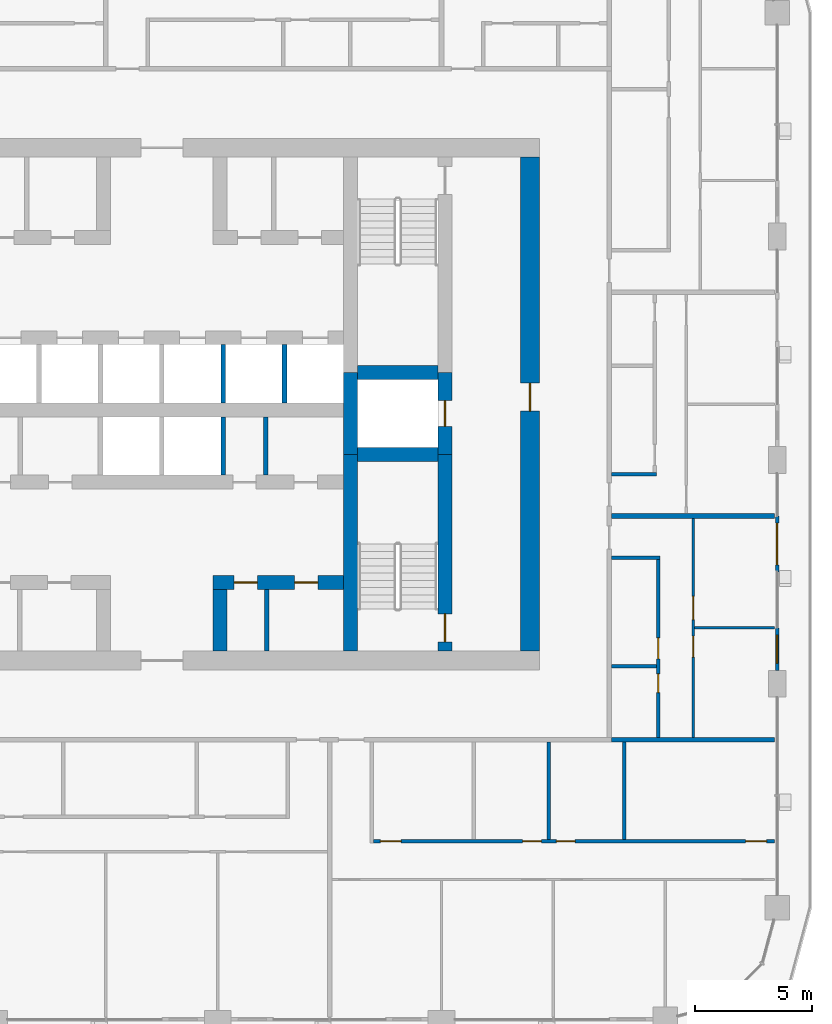
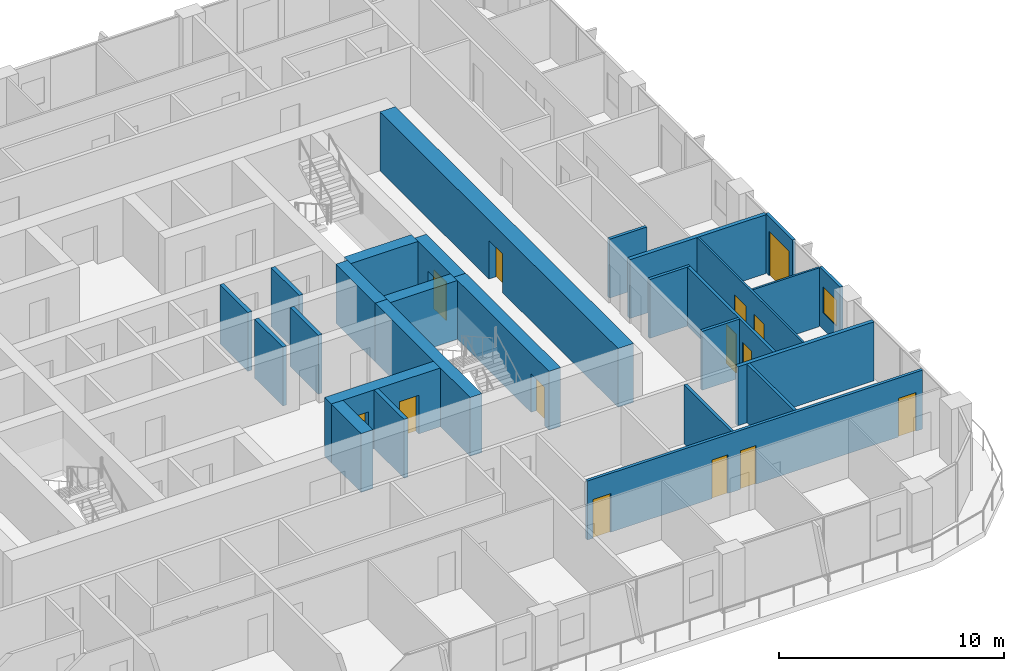
# One storey, part 12 of 22: 27 walls, 14 doors, 1 window, 15 openings.
"""IFC4 building model written with IfcOpenShell, lengths in metres."""

import ifcopenshell
import ifcopenshell.guid

model = None  # the IFC model being written
_history = None  # IfcOwnerHistory: only IFC2X3 demands one
_inside = {}  # id of a spatial element -> (the spatial element, [elements in it])
_under = {}  # id of a project, library or spatial element -> (it, [spatial elements below it])
_declared = {}  # id of a project -> (the project, [libraries it declares])
_typed = {}  # id of a type object -> (the type object, [elements of that type])
_made_of = {}  # id of a material, layer set ... -> (it, [elements and type objects made of it])


def new_model(schema):
    """Start an empty IFC model of exactly this schema.

    Asked for "IFC4X3", IfcOpenShell would pick the latest addendum, in which some entities
    have other attributes; the version numbers below select the first issue.
    IFC2X3 requires an IfcOwnerHistory on every rooted entity: one is made here for all.
    """
    global model, _history
    if schema == "IFC4X3":
        model = ifcopenshell.file(schema_version=(4, 3, 0, 0))
    else:
        model = ifcopenshell.file(schema=schema)
    _inside.clear()
    _under.clear()
    _declared.clear()
    _typed.clear()
    _made_of.clear()
    _history = None
    if model.schema == "IFC2X3":
        org = make("IfcOrganization", Name="unknown")
        user = make(
            "IfcPersonAndOrganization",
            ThePerson=make("IfcPerson", FamilyName="unknown"),
            TheOrganization=org,
        )
        app = make(
            "IfcApplication",
            ApplicationDeveloper=org,
            Version="unknown",
            ApplicationFullName="unknown",
            ApplicationIdentifier="unknown",
        )
        _history = make(
            "IfcOwnerHistory",
            OwningUser=user,
            OwningApplication=app,
            ChangeAction="ADDED",
            CreationDate=0,
        )
    return model


def make(cls, **values):
    """One entity of the class cls with the attributes given. An attribute that is None is left unset."""
    return model.create_entity(
        cls, **{name: value for name, value in values.items() if value is not None}
    )


def rooted(cls, **values):
    """An entity with a GlobalId (a new one), such as an element, a storey or a relation."""
    return make(cls, GlobalId=ifcopenshell.guid.new(), OwnerHistory=_history, **values)


def si_unit(unit_type, name, prefix=None):
    """IfcSIUnit, for example si_unit("LENGTHUNIT", "METRE", prefix="MILLI")."""
    return make("IfcSIUnit", UnitType=unit_type, Prefix=prefix, Name=name)


def assignment(units):
    """IfcUnitAssignment: the units of a project."""
    return None if units is None else make("IfcUnitAssignment", Units=units)


def point(xyz):
    """IfcCartesianPoint."""
    return None if xyz is None else make("IfcCartesianPoint", Coordinates=xyz)


def direction(xyz):
    """IfcDirection."""
    return None if xyz is None else make("IfcDirection", DirectionRatios=xyz)


def frame(location, z_axis=None, x_axis=None):
    """IfcAxis2Placement3D, a coordinate frame: its origin and axes. An axis left out is left unset."""
    return make(
        "IfcAxis2Placement3D",
        Location=point(location),
        Axis=direction(z_axis),
        RefDirection=direction(x_axis),
    )


def frame_2d(location, x_axis=None):
    """IfcAxis2Placement2D, a coordinate frame in the plane: its origin and x axis."""
    return make(
        "IfcAxis2Placement2D", Location=point(location), RefDirection=direction(x_axis)
    )


def origin():
    """The frame at (0, 0, 0) with its axes left unset."""
    return frame((0.0, 0.0, 0.0))


def place(relative_to, where):
    """IfcLocalPlacement: puts the frame where relative to a parent placement (None: the world)."""
    return make(
        "IfcLocalPlacement", PlacementRelTo=relative_to, RelativePlacement=where
    )


def context(
    kind, dimensions, precision=None, world=None, true_north=None, identifier=None
):
    """IfcGeometricRepresentationContext, for example the 3D "Model" context."""
    return make(
        "IfcGeometricRepresentationContext",
        ContextIdentifier=identifier,
        ContextType=kind,
        CoordinateSpaceDimension=dimensions,
        Precision=precision,
        WorldCoordinateSystem=world,
        TrueNorth=true_north,
    )


def subcontext(parent, identifier, kind, view, scale=None):
    """IfcGeometricRepresentationSubContext, for example "Body" below "Model"."""
    return make(
        "IfcGeometricRepresentationSubContext",
        ContextIdentifier=identifier,
        ContextType=kind,
        ParentContext=parent,
        TargetScale=scale,
        TargetView=view,
    )


def project(units=None, contexts=None):
    """IfcProject with its units and contexts."""
    return rooted(
        "IfcProject",
        Name="project",
        RepresentationContexts=contexts,
        UnitsInContext=assignment(units),
    )


def spatial(cls, under=None, at=None, **own):
    """A site, building, storey or space (cls), placed at a placement, below another one or the project."""
    s = rooted(cls, ObjectPlacement=at, **own)
    if under is not None:
        _under.setdefault(under.id(), (under, []))[1].append(s)
    return s


def profile(cls, at=None, kind="AREA", **sizes):
    """A parametric profile (cls). Its sizes go by their IFC names, for example OverallWidth=200.0."""
    return make(cls, ProfileType=kind, Position=at, **sizes)


def rectangle(**sizes):
    """IfcRectangleProfileDef."""
    return profile("IfcRectangleProfileDef", **sizes)


def extrude(swept, where, along, depth):
    """IfcExtrudedAreaSolid: the profile swept, set in the frame where, extruded along a direction by depth."""
    return make(
        "IfcExtrudedAreaSolid",
        SweptArea=swept,
        Position=where,
        ExtrudedDirection=direction(along),
        Depth=depth,
    )


def shape(context_of_items, identifier, shape_type, items):
    """IfcShapeRepresentation: the items that make up one representation, for example the "Body"."""
    return make(
        "IfcShapeRepresentation",
        ContextOfItems=context_of_items,
        RepresentationIdentifier=identifier,
        RepresentationType=shape_type,
        Items=items,
    )


def material(Name=None, Category=None):
    """IfcMaterial."""
    return make("IfcMaterial", Name=Name, Category=Category)


def layer(
    of_material, thickness, ventilated=None, Name=None, Category=None, Priority=None
):
    """IfcMaterialLayer: one layer of a wall or slab, of a material (None: an air gap)."""
    return make(
        "IfcMaterialLayer",
        Material=of_material,
        LayerThickness=thickness,
        IsVentilated=ventilated,
        Name=Name,
        Category=Category,
        Priority=Priority,
    )


def layer_set(layers, Name=None):
    """IfcMaterialLayerSet."""
    return make("IfcMaterialLayerSet", MaterialLayers=layers, LayerSetName=Name)


def made_of(thing, what):
    """Note that an element or type object is made of a material, layer set ...; save() writes the relation."""
    if what is not None:
        _made_of.setdefault(what.id(), (what, []))[1].append(thing)
    return thing


def type_object(cls, material=None, **own):
    """A type object (cls), such as IfcWallType, which elements share."""
    return made_of(rooted(cls, **own), material)


def element(
    cls,
    number,
    at=None,
    inside=None,
    cuts=None,
    type_object=None,
    material=None,
    context=None,
    identifier="Body",
    shape_type=None,
    held_by="IfcProductDefinitionShape",
    body=None,
    shapes=None,
    **own,
):
    """One element of the class cls, such as IfcWall. Its Tag is "e" and its number.

    at: its placement. inside: the storey or other place that contains it. cuts: it is an
    opening in that element (IfcRelVoidsElement). A single representation is given by context,
    identifier, shape_type and body (its items); several are given by shapes. held_by: the class
    of the entity that holds the representations. save() writes the other relations.
    """
    e = rooted(cls, Tag="e%d" % number, ObjectPlacement=at, **own)
    if body is not None:
        shapes = [shape(context, identifier, shape_type, body)]
    if shapes is not None:
        e.Representation = make(held_by, Representations=shapes)
    if inside is not None:
        _inside.setdefault(inside.id(), (inside, []))[1].append(e)
    if cuts is not None:
        rooted(
            "IfcRelVoidsElement", RelatingBuildingElement=cuts, RelatedOpeningElement=e
        )
    if type_object is not None:
        _typed.setdefault(type_object.id(), (type_object, []))[1].append(e)
    return made_of(e, material)


def fill(opening, filler):
    """IfcRelFillsElement: the door or window that sits in an opening."""
    return rooted(
        "IfcRelFillsElement",
        RelatingOpeningElement=opening,
        RelatedBuildingElement=filler,
    )


def aggregate(whole, parts):
    """IfcRelAggregates: a whole, such as a stair, and the parts it consists of."""
    return rooted("IfcRelAggregates", RelatingObject=whole, RelatedObjects=parts)


def save(model, path):
    """Write the relations noted so far, then the file.

    IfcRelAggregates (storeys below a building ...), IfcRelContainedInSpatialStructure (elements
    in a storey), IfcRelDefinesByType, IfcRelAssociatesMaterial and IfcRelDeclares: one each for
    every whole, place, type object, material and project.
    """
    for whole, parts in _under.values():
        aggregate(whole, parts)
    for where, things in _inside.values():
        rooted(
            "IfcRelContainedInSpatialStructure",
            RelatedElements=things,
            RelatingStructure=where,
        )
    for kind, things in _typed.values():
        rooted("IfcRelDefinesByType", RelatedObjects=things, RelatingType=kind)
    for what, things in _made_of.values():
        rooted("IfcRelAssociatesMaterial", RelatedObjects=things, RelatingMaterial=what)
    for by, libraries in _declared.values():
        rooted("IfcRelDeclares", RelatingContext=by, RelatedDefinitions=libraries)
    model.write(path)


model = new_model("IFC4")

# Units and contexts
model_context = context("Model", 3, precision=1e-05, world=origin(), true_north=direction((0.0, 1.0)))
body_context = subcontext(model_context, "Body", "Model", "MODEL_VIEW")
ifc_project = project(units=[si_unit("LENGTHUNIT", "METRE"), si_unit("AREAUNIT", "SQUARE_METRE"), si_unit("VOLUMEUNIT", "CUBIC_METRE"), si_unit("PLANEANGLEUNIT", "RADIAN"), si_unit("MASSUNIT", "GRAM", prefix="KILO")], contexts=[model_context])

# Site, building, storey
site_placement = place(None, origin())
site = spatial("IfcSite", under=ifc_project, at=site_placement, CompositionType="ELEMENT")
building_placement = place(site_placement, origin())
building = spatial("IfcBuilding", under=site, at=building_placement, Name="Madar Terraces", CompositionType="ELEMENT")
storey_placement = place(building_placement, frame((0.0, 0.0, 166.5)))
storey = spatial("IfcBuildingStorey", under=building, at=storey_placement, Name="L43", CompositionType="ELEMENT", Elevation=166.5)

# Walls
ifc_material_1 = material(Name="Concrete C70/85", Category="concrete")
ifc_layer_1 = layer(ifc_material_1, 0.60009765625)
ifc_layer_set_1 = layer_set([ifc_layer_1], Name="Concrete C70/85 (CIW3 RC wall 600)")
wall_type_1 = type_object("IfcWallType", Name="CIW3 RC wall 600", PredefinedType="SHEAR", material=ifc_layer_set_1)
wall_1_placement = place(storey_placement, frame((39.300048828125, 15.800048828125, 0.0), z_axis=(0.0, 0.0, 1.0), x_axis=(0.0, 1.0, 0.0)))
element("IfcWall", 1, at=wall_1_placement, inside=storey, type_object=wall_type_1, Name="CORE SHAFT WALL", PredefinedType="SHEAR", context=body_context, shape_type="SweptSolid", body=[
    extrude(rectangle(XDim=8.449951171875, YDim=0.60009765625, at=frame_2d((4.22509765625, 0.0))), origin(), (0.0, 0.0, 1.0), 3.199951171875),
])
wall_2_placement = place(storey_placement, frame((39.300048828125, 24.25, 0.0), z_axis=(0.0, 0.0, 1.0), x_axis=(0.0, 1.0, 0.0)))
element("IfcWall", 2, at=wall_2_placement, inside=storey, type_object=wall_type_1, Name="CORE SHAFT WALL", PredefinedType="SHEAR", context=body_context, shape_type="SweptSolid", body=[
    extrude(rectangle(XDim=3.5, YDim=0.60009765625, at=frame_2d((1.75, 0.0))), origin(), (0.0, 0.0, 1.0), 3.199951171875),
])

# Wall, opening, door
wall_3_placement = place(storey_placement, frame((43.35009765625, 15.800048828125, 0.0), z_axis=(0.0, 0.0, 1.0), x_axis=(0.0, 1.0, 0.0)))
wall_3 = element("IfcWall", 3, at=wall_3_placement, inside=storey, type_object=wall_type_1, Name="CORE SHAFT WALL", PredefinedType="SHEAR", context=body_context, shape_type="SweptSolid", body=[
    extrude(rectangle(XDim=8.449951171875, YDim=0.60009765625, at=frame_2d((4.22509765625, 0.0))), origin(), (0.0, 0.0, 1.0), 3.199951171875),
])
opening_1_placement = place(wall_3_placement, frame((0.39990234375, 0.0, 0.0)))
opening_1 = element("IfcOpeningElement", 4, at=opening_1_placement, cuts=wall_3, Name="Opening SD1", PredefinedType="OPENING", context=body_context, shape_type="SweptSolid", body=[
    extrude(rectangle(XDim=1.199951171875, YDim=2.10009765625, at=frame_2d((0.60009765625, 1.050048828125))), frame((0.0, 0.31005859375, 0.0), z_axis=(0.0, -1.0, 0.0), x_axis=(1.0, 0.0, 0.0)), (0.0, 0.0, 1.0), 0.6201171875),
])
ifc_material_2 = material(Name="Steel door leaf", Category="steel")
door_type_1 = type_object("IfcDoorType", Name="Stair door 1200 x 2100", OperationType="NOTDEFINED", PredefinedType="DOOR", material=ifc_material_2)
door_1_placement = place(opening_1_placement, origin())
door_1 = element("IfcDoor", 5, at=door_1_placement, inside=storey, type_object=door_type_1, Name="STAIR DOOR", OperationType="SINGLE_SWING_RIGHT", OverallHeight=2.10009765625, OverallWidth=1.199951171875, PredefinedType="DOOR", context=body_context, shape_type="SweptSolid", body=[
    extrude(rectangle(XDim=1.199951171875, YDim=2.10009765625, at=frame_2d((0.60009765625, 1.050048828125))), frame((0.0, 0.02490234375, 0.0), z_axis=(0.0, -1.0, 0.0), x_axis=(1.0, 0.0, 0.0)), (0.0, 0.0, 1.0), 0.050048828125),
])
fill(opening_1, door_1)

wall_4_placement = place(storey_placement, frame((43.35009765625, 24.25, 0.0), z_axis=(0.0, 0.0, 1.0), x_axis=(0.0, 1.0, 0.0)))
wall_4 = element("IfcWall", 6, at=wall_4_placement, inside=storey, type_object=wall_type_1, Name="CORE SHAFT WALL", PredefinedType="SHEAR", context=body_context, shape_type="SweptSolid", body=[
    extrude(rectangle(XDim=3.5, YDim=0.60009765625, at=frame_2d((1.75, 0.0))), origin(), (0.0, 0.0, 1.0), 3.199951171875),
])
opening_2_placement = place(wall_4_placement, frame((1.199951171875, 0.0, 0.0)))
opening_2 = element("IfcOpeningElement", 7, at=opening_2_placement, cuts=wall_4, Name="Opening LD", PredefinedType="OPENING", context=body_context, shape_type="SweptSolid", body=[
    extrude(rectangle(XDim=1.10009765625, YDim=2.10009765625, at=frame_2d((0.550048828125, 1.050048828125))), frame((0.0, 0.31005859375, 0.0), z_axis=(0.0, -1.0, 0.0), x_axis=(1.0, 0.0, 0.0)), (0.0, 0.0, 1.0), 0.6201171875),
])
ifc_material_3 = material(Name="Stainless steel panel", Category="steel")
door_type_2 = type_object("IfcDoorType", Name="Lift landing door 1100 x 2100", OperationType="DOUBLE_DOOR_SLIDING", PredefinedType="DOOR", material=ifc_material_3)
door_2_placement = place(opening_2_placement, origin())
door_2 = element("IfcDoor", 8, at=door_2_placement, inside=storey, type_object=door_type_2, Name="LIFT LANDING DOOR", OperationType="DOUBLE_DOOR_SLIDING", OverallHeight=2.10009765625, OverallWidth=1.10009765625, PredefinedType="DOOR", context=body_context, shape_type="SweptSolid", body=[
    extrude(rectangle(XDim=1.10009765625, YDim=2.10009765625, at=frame_2d((0.550048828125, 1.050048828125))), frame((0.0, 0.02490234375, 0.0), z_axis=(0.0, -1.0, 0.0), x_axis=(1.0, 0.0, 0.0)), (0.0, 0.0, 1.0), 0.050048828125),
])
fill(opening_2, door_2)

# Walls
for number, where, z_axis, x_axis, name in (
    (9, (39.60009765625, 24.25, 0.0), (0.0, 0.0, 1.0), (1.0, 0.0, 0.0), "CORE SHAFT WALL"),
    (10, (39.60009765625, 27.75, 0.0), (0.0, 0.0, 1.0), (1.0, 0.0, 0.0), "CORE SHAFT WALL"),
):
    element("IfcWall", number, at=place(storey_placement, frame(where, z_axis=z_axis, x_axis=x_axis)), inside=storey, type_object=wall_type_1, Name=name, PredefinedType="SHEAR", context=body_context, shape_type="SweptSolid", body=[
        extrude(rectangle(XDim=3.449951171875, YDim=0.60009765625, at=frame_2d((1.72509765625, 0.0))), origin(), (0.0, 0.0, 1.0), 3.199951171875),
    ])

# Wall, openings, doors
wall_5_placement = place(storey_placement, frame((33.39990234375, 18.75, 0.0), z_axis=(0.0, 0.0, 1.0), x_axis=(1.0, 0.0, 0.0)))
wall_5 = element("IfcWall", 11, at=wall_5_placement, inside=storey, type_object=wall_type_1, Name="CORE SHAFT WALL", PredefinedType="SHEAR", context=body_context, shape_type="SweptSolid", body=[
    extrude(rectangle(XDim=5.60009765625, YDim=0.60009765625, at=frame_2d((2.800048828125, 0.0))), origin(), (0.0, 0.0, 1.0), 3.199951171875),
])
opening_3_placement = place(wall_5_placement, frame((0.89990234375, 0.0, 0.0)))
opening_3 = element("IfcOpeningElement", 12, at=opening_3_placement, cuts=wall_5, Name="Opening KD2", PredefinedType="OPENING", context=body_context, shape_type="SweptSolid", body=[
    extrude(rectangle(XDim=1.0, YDim=2.10009765625, at=frame_2d((0.5, 1.050048828125))), frame((0.0, 0.31005859375, 0.0), z_axis=(0.0, -1.0, 0.0), x_axis=(1.0, 0.0, 0.0)), (0.0, 0.0, 1.0), 0.6201171875),
])
opening_4_placement = place(wall_5_placement, frame((3.5, 0.0, 0.0)))
opening_4 = element("IfcOpeningElement", 13, at=opening_4_placement, cuts=wall_5, Name="Opening KD2", PredefinedType="OPENING", context=body_context, shape_type="SweptSolid", body=[
    extrude(rectangle(XDim=1.0, YDim=2.10009765625, at=frame_2d((0.5, 1.050048828125))), frame((0.0, 0.31005859375, 0.0), z_axis=(0.0, -1.0, 0.0), x_axis=(1.0, 0.0, 0.0)), (0.0, 0.0, 1.0), 0.6201171875),
])
ifc_material_4 = material(Name="Steel door leaf", Category="steel")
door_type_3 = type_object("IfcDoorType", Name="Service room door 1000 x 2100", OperationType="NOTDEFINED", PredefinedType="DOOR", material=ifc_material_4)
door_3_placement = place(opening_3_placement, origin())
door_3 = element("IfcDoor", 14, at=door_3_placement, inside=storey, type_object=door_type_3, Name="SERVICE ROOM DOOR", OperationType="SINGLE_SWING_RIGHT", OverallHeight=2.10009765625, OverallWidth=1.0, PredefinedType="DOOR", context=body_context, shape_type="SweptSolid", body=[
    extrude(rectangle(XDim=1.0, YDim=2.10009765625, at=frame_2d((0.5, 1.050048828125))), frame((0.0, 0.02490234375, 0.0), z_axis=(0.0, -1.0, 0.0), x_axis=(1.0, 0.0, 0.0)), (0.0, 0.0, 1.0), 0.050048828125),
])
fill(opening_3, door_3)
door_4_placement = place(opening_4_placement, origin())
door_4 = element("IfcDoor", 15, at=door_4_placement, inside=storey, type_object=door_type_3, Name="SERVICE ROOM DOOR", OperationType="SINGLE_SWING_LEFT", OverallHeight=2.10009765625, OverallWidth=1.0, PredefinedType="DOOR", context=body_context, shape_type="SweptSolid", body=[
    extrude(rectangle(XDim=1.0, YDim=2.10009765625, at=frame_2d((0.5, 1.050048828125))), frame((0.0, 0.02490234375, 0.0), z_axis=(0.0, -1.0, 0.0), x_axis=(1.0, 0.0, 0.0)), (0.0, 0.0, 1.0), 0.050048828125),
])
fill(opening_4, door_4)

# Wall
wall_6_placement = place(storey_placement, frame((33.699951171875, 15.800048828125, 0.0), z_axis=(0.0, 0.0, 1.0), x_axis=(0.0, 1.0, 0.0)))
element("IfcWall", 16, at=wall_6_placement, inside=storey, type_object=wall_type_1, Name="CORE SHAFT WALL", PredefinedType="SHEAR", context=body_context, shape_type="SweptSolid", body=[
    extrude(rectangle(XDim=2.64990234375, YDim=0.60009765625, at=frame_2d((1.324951171875, 0.0))), origin(), (0.0, 0.0, 1.0), 3.199951171875),
])

# Wall, opening, door
ifc_material_5 = material(Name="Concrete C70/85", Category="concrete")
ifc_layer_2 = layer(ifc_material_5, 0.800048828125)
ifc_layer_set_2 = layer_set([ifc_layer_2], Name="Concrete C70/85 (CRW3 RC wall 800)")
wall_type_2 = type_object("IfcWallType", Name="CRW3 RC wall 800", PredefinedType="SHEAR", material=ifc_layer_set_2)
wall_7_placement = place(storey_placement, frame((47.0, 15.800048828125, 0.0), z_axis=(0.0, 0.0, 1.0), x_axis=(0.0, 1.0, 0.0)))
wall_7 = element("IfcWall", 17, at=wall_7_placement, inside=storey, type_object=wall_type_2, Name="CORE OUTER WALL", PredefinedType="SHEAR", context=body_context, shape_type="SweptSolid", body=[
    extrude(rectangle(XDim=21.199951171875, YDim=0.800048828125, at=frame_2d((10.60009765625, 0.0))), origin(), (0.0, 0.0, 1.0), 3.199951171875),
])
opening_5_placement = place(wall_7_placement, frame((10.300048828125, 0.0, 0.0)))
opening_5 = element("IfcOpeningElement", 18, at=opening_5_placement, cuts=wall_7, Name="Opening SD1", PredefinedType="OPENING", context=body_context, shape_type="SweptSolid", body=[
    extrude(rectangle(XDim=1.199951171875, YDim=2.10009765625, at=frame_2d((0.60009765625, 1.050048828125))), frame((0.0, 0.409912109375, 0.0), z_axis=(0.0, -1.0, 0.0), x_axis=(1.0, 0.0, 0.0)), (0.0, 0.0, 1.0), 0.820068359375),
])
door_5_placement = place(opening_5_placement, origin())
door_5 = element("IfcDoor", 19, at=door_5_placement, inside=storey, type_object=door_type_1, Name="STAIR DOOR", OperationType="SINGLE_SWING_LEFT", OverallHeight=2.10009765625, OverallWidth=1.199951171875, PredefinedType="DOOR", context=body_context, shape_type="SweptSolid", body=[
    extrude(rectangle(XDim=1.199951171875, YDim=2.10009765625, at=frame_2d((0.60009765625, 1.050048828125))), frame((0.0, 0.02490234375, 0.0), z_axis=(0.0, -1.0, 0.0), x_axis=(1.0, 0.0, 0.0)), (0.0, 0.0, 1.0), 0.050048828125),
])
fill(opening_5, door_5)

# Walls
ifc_material_6 = material(Name="Masonry blockwork", Category="masonry")
ifc_layer_3 = layer(ifc_material_6, 0.199951171875)
ifc_layer_set_3 = layer_set([ifc_layer_3], Name="Core partition 200 blockwork")
wall_type_3 = type_object("IfcWallType", Name="Core partition 200 blockwork", PredefinedType="PARTITIONING", material=ifc_layer_set_3)
wall_8_placement = place(storey_placement, frame((35.656005859375, 23.35009765625, 0.0), z_axis=(0.0, 0.0, 1.0), x_axis=(0.0, 1.0, 0.0)))
element("IfcWall", 20, at=wall_8_placement, inside=storey, type_object=wall_type_3, Name="SERVICE ROOM PARTITION", PredefinedType="PARTITIONING", context=body_context, shape_type="SweptSolid", body=[
    extrude(rectangle(XDim=2.5, YDim=0.199951171875, at=frame_2d((1.25, 0.0))), origin(), (0.0, 0.0, 1.0), 3.199951171875),
])
wall_9_placement = place(storey_placement, frame((35.699951171875, 15.800048828125, 0.0), z_axis=(0.0, 0.0, 1.0), x_axis=(0.0, 1.0, 0.0)))
element("IfcWall", 21, at=wall_9_placement, inside=storey, type_object=wall_type_3, Name="SERVICE ROOM PARTITION", PredefinedType="PARTITIONING", context=body_context, shape_type="SweptSolid", body=[
    extrude(rectangle(XDim=2.64990234375, YDim=0.199951171875, at=frame_2d((1.324951171875, 0.0))), origin(), (0.0, 0.0, 1.0), 3.199951171875),
])
ifc_material_7 = material(Name="Concrete C40/50", Category="concrete")
ifc_layer_4 = layer(ifc_material_7, 0.199951171875)
ifc_layer_set_4 = layer_set([ifc_layer_4], Name="Core shaft dividing wall 200 C40/50")
wall_type_4 = type_object("IfcWallType", Name="Core shaft dividing wall 200 C40/50", PredefinedType="SOLIDWALL", material=ifc_layer_set_4)
for number, where, z_axis, x_axis, name in (
    (22, (33.833251953125, 23.35009765625, 0.0), (0.0, 0.0, 1.0), (0.0, 1.0, 0.0), "SHAFT DIVIDING WALL"),
    (23, (33.833251953125, 26.449951171875, 0.0), (0.0, 0.0, 1.0), (0.0, 1.0, 0.0), "SHAFT DIVIDING WALL"),
    (24, (36.466552734375, 26.449951171875, 0.0), (0.0, 0.0, 1.0), (0.0, 1.0, 0.0), "SHAFT DIVIDING WALL"),
):
    element("IfcWall", number, at=place(storey_placement, frame(where, z_axis=z_axis, x_axis=x_axis)), inside=storey, type_object=wall_type_4, Name=name, PredefinedType="SOLIDWALL", context=body_context, shape_type="SweptSolid", body=[
        extrude(rectangle(XDim=2.5, YDim=0.199951171875, at=frame_2d((1.25, 0.0))), origin(), (0.0, 0.0, 1.0), 3.199951171875),
    ])

# Wall, opening, window
ifc_material_8 = material(Name="Aluminium composite panel, black, over insulated backing", Category="aluminium")
ifc_layer_5 = layer(ifc_material_8, 0.14990234375)
ifc_layer_set_5 = layer_set([ifc_layer_5], Name="Facade bay panel 150")
wall_type_5 = type_object("IfcWallType", Name="Facade bay panel 150", PredefinedType="SOLIDWALL", material=ifc_layer_set_5)
wall_10_placement = place(storey_placement, frame((57.60009765625, 14.97509765625, 0.0), z_axis=(0.0, 0.0, 1.0), x_axis=(0.0, 1.0, 0.0)))
wall_10 = element("IfcWall", 25, at=wall_10_placement, inside=storey, type_object=wall_type_5, Name="Facade bay panel", PredefinedType="SOLIDWALL", context=body_context, shape_type="SweptSolid", body=[
    extrude(rectangle(XDim=1.824951171875, YDim=0.14990234375, at=frame_2d((0.91259765625, 0.0))), origin(), (0.0, 0.0, 1.0), 3.199951171875),
])
opening_6_placement = place(wall_10_placement, frame((0.3125, 0.0, 0.89990234375)))
opening_6 = element("IfcOpeningElement", 26, at=opening_6_placement, cuts=wall_10, Name="Opening W1", PredefinedType="OPENING", context=body_context, shape_type="SweptSolid", body=[
    extrude(rectangle(XDim=1.199951171875, YDim=1.39990234375, at=frame_2d((0.60009765625, 0.699951171875))), frame((0.0, 0.0849609375, 0.0), z_axis=(0.0, -1.0, 0.0), x_axis=(1.0, 0.0, 0.0)), (0.0, 0.0, 1.0), 0.169921875),
])
ifc_material_9 = material(Name="Glass, clear, with black aluminium frame", Category="aluminium")
window_type = type_object("IfcWindowType", Name="Vent window 1200 x 1400", PartitioningType="SINGLE_PANEL", PredefinedType="WINDOW", material=ifc_material_9)
window_placement = place(opening_6_placement, origin())
window = element("IfcWindow", 27, at=window_placement, inside=storey, type_object=window_type, Name="Operable vent window", OverallHeight=1.39990234375, OverallWidth=1.199951171875, PartitioningType="SINGLE_PANEL", PredefinedType="WINDOW", context=body_context, shape_type="SweptSolid", body=[
    extrude(rectangle(XDim=1.199951171875, YDim=1.39990234375, at=frame_2d((0.60009765625, 0.699951171875))), frame((0.0, 0.030029296875, 0.0), z_axis=(0.0, -1.0, 0.0), x_axis=(1.0, 0.0, 0.0)), (0.0, 0.0, 1.0), 0.06005859375),
])
fill(opening_6, window)

# Wall, opening, door
wall_11_placement = place(storey_placement, frame((57.60009765625, 19.199951171875, 0.0), z_axis=(0.0, 0.0, 1.0), x_axis=(0.0, 1.0, 0.0)))
wall_11 = element("IfcWall", 28, at=wall_11_placement, inside=storey, type_object=wall_type_5, Name="Facade bay panel", PredefinedType="SOLIDWALL", context=body_context, shape_type="SweptSolid", body=[
    extrude(rectangle(XDim=2.400146484375, YDim=0.14990234375, at=frame_2d((1.2001953125, 0.0))), origin(), (0.0, 0.0, 1.0), 3.199951171875),
])
opening_7_placement = place(wall_11_placement, frame((0.300048828125, 0.0, 0.0)))
opening_7 = element("IfcOpeningElement", 29, at=opening_7_placement, cuts=wall_11, Name="Opening ED1", PredefinedType="OPENING", context=body_context, shape_type="SweptSolid", body=[
    extrude(rectangle(XDim=1.800048828125, YDim=2.39990234375, at=frame_2d((0.89990234375, 1.199951171875))), frame((0.0, 0.0849609375, 0.0), z_axis=(0.0, -1.0, 0.0), x_axis=(1.0, 0.0, 0.0)), (0.0, 0.0, 1.0), 0.169921875),
])
ifc_material_10 = material(Name="Glass, clear, with black aluminium frame", Category="aluminium")
door_type_4 = type_object("IfcDoorType", Name="Balcony and terrace sliding door 1800 x 2400", OperationType="SLIDING_TO_LEFT", PredefinedType="DOOR", material=ifc_material_10)
door_6_placement = place(opening_7_placement, origin())
door_6 = element("IfcDoor", 30, at=door_6_placement, inside=storey, type_object=door_type_4, Name="Balcony door", OperationType="SLIDING_TO_LEFT", OverallHeight=2.39990234375, OverallWidth=1.800048828125, PredefinedType="DOOR", context=body_context, shape_type="SweptSolid", body=[
    extrude(rectangle(XDim=1.800048828125, YDim=2.39990234375, at=frame_2d((0.89990234375, 1.199951171875))), frame((0.0, 0.02490234375, 0.0), z_axis=(0.0, -1.0, 0.0), x_axis=(1.0, 0.0, 0.0)), (0.0, 0.0, 1.0), 0.050048828125),
])
fill(opening_7, door_6)

# Wall
ifc_material_11 = material(Name="Gypsum board on steel studs", Category="steel")
ifc_layer_6 = layer(ifc_material_11, 0.10009765625)
ifc_layer_set_6 = layer_set([ifc_layer_6], Name="Flat partition 100")
wall_type_6 = type_object("IfcWallType", Name="Flat partition 100", PredefinedType="PARTITIONING", material=ifc_layer_set_6)
wall_12_placement = place(storey_placement, frame((54.050048828125, 16.800048828125, 0.0), z_axis=(0.0, 0.0, 1.0), x_axis=(1.0, 0.0, 0.0)))
element("IfcWall", 31, at=wall_12_placement, inside=storey, type_object=wall_type_6, Name="Flat partition 100", PredefinedType="PARTITIONING", context=body_context, shape_type="SweptSolid", body=[
    extrude(rectangle(XDim=3.449951171875, YDim=0.10009765625, at=frame_2d((1.72509765625, 0.0))), origin(), (0.0, 0.0, 1.0), 3.199951171875),
])

# Wall, openings, doors
wall_13_placement = place(storey_placement, frame((54.0, 21.5, 0.0), z_axis=(0.0, 0.0, 1.0), x_axis=(0.0, -1.0, 0.0)))
wall_13 = element("IfcWall", 32, at=wall_13_placement, inside=storey, type_object=wall_type_6, Name="Flat partition 100", PredefinedType="PARTITIONING", context=body_context, shape_type="SweptSolid", body=[
    extrude(rectangle(XDim=9.39990234375, YDim=0.10009765625, at=frame_2d((4.699951171875, 0.0))), origin(), (0.0, 0.0, 1.0), 3.199951171875),
])
opening_8_placement = place(wall_13_placement, frame((3.35009765625, 0.0, 0.0)))
opening_8 = element("IfcOpeningElement", 33, at=opening_8_placement, cuts=wall_13, Name="Opening D3", PredefinedType="OPENING", context=body_context, shape_type="SweptSolid", body=[
    extrude(rectangle(XDim=1.0, YDim=2.10009765625, at=frame_2d((0.5, 1.050048828125))), frame((0.0, 0.06005859375, 0.0), z_axis=(0.0, -1.0, 0.0), x_axis=(1.0, 0.0, 0.0)), (0.0, 0.0, 1.0), 0.1201171875),
])
opening_9_placement = place(wall_13_placement, frame((5.050048828125, 0.0, 0.0)))
opening_9 = element("IfcOpeningElement", 34, at=opening_9_placement, cuts=wall_13, Name="Opening D2", PredefinedType="OPENING", context=body_context, shape_type="SweptSolid", body=[
    extrude(rectangle(XDim=0.89990234375, YDim=2.10009765625, at=frame_2d((0.449951171875, 1.050048828125))), frame((0.0, 0.06005859375, 0.0), z_axis=(0.0, -1.0, 0.0), x_axis=(1.0, 0.0, 0.0)), (0.0, 0.0, 1.0), 0.1201171875),
])
ifc_material_12 = material(Name="Timber door leaf", Category="wood")
door_type_5 = type_object("IfcDoorType", Name="Flat living room door 1000", OperationType="NOTDEFINED", PredefinedType="DOOR", material=ifc_material_12)
door_7_placement = place(opening_8_placement, origin())
door_7 = element("IfcDoor", 35, at=door_7_placement, inside=storey, type_object=door_type_5, Name="Flat living room door 1000", OperationType="SINGLE_SWING_RIGHT", OverallHeight=2.10009765625, OverallWidth=1.0, PredefinedType="DOOR", context=body_context, shape_type="SweptSolid", body=[
    extrude(rectangle(XDim=1.0, YDim=2.10009765625, at=frame_2d((0.5, 1.050048828125))), frame((0.0, 0.02490234375, 0.0), z_axis=(0.0, -1.0, 0.0), x_axis=(1.0, 0.0, 0.0)), (0.0, 0.0, 1.0), 0.050048828125),
])
fill(opening_8, door_7)
ifc_material_13 = material(Name="Timber door leaf", Category="wood")
door_type_6 = type_object("IfcDoorType", Name="Flat room door 900", OperationType="NOTDEFINED", PredefinedType="DOOR", material=ifc_material_13)
door_8_placement = place(opening_9_placement, origin())
door_8 = element("IfcDoor", 36, at=door_8_placement, inside=storey, type_object=door_type_6, Name="Flat room door 900", OperationType="SINGLE_SWING_LEFT", OverallHeight=2.10009765625, OverallWidth=0.89990234375, PredefinedType="DOOR", context=body_context, shape_type="SweptSolid", body=[
    extrude(rectangle(XDim=0.89990234375, YDim=2.10009765625, at=frame_2d((0.449951171875, 1.050048828125))), frame((0.0, 0.02490234375, 0.0), z_axis=(0.0, -1.0, 0.0), x_axis=(1.0, 0.0, 0.0)), (0.0, 0.0, 1.0), 0.050048828125),
])
fill(opening_9, door_8)

# Walls
ifc_material_14 = material(Name="Lightweight blockwork", Category="masonry")
ifc_layer_7 = layer(ifc_material_14, 0.199951171875)
ifc_layer_set_7 = layer_set([ifc_layer_7], Name="Flat party and entrance wall 200")
wall_type_7 = type_object("IfcWallType", Name="Flat party and entrance wall 200", PredefinedType="PARTITIONING", material=ifc_layer_set_7)
for number, where, z_axis, x_axis, name in (
    (37, (50.5, 12.0, 0.0), (0.0, 0.0, 1.0), (1.0, 0.0, 0.0), "Flat party and entrance wall 200"),
    (38, (50.5, 21.60009765625, 0.0), (0.0, 0.0, 1.0), (1.0, 0.0, 0.0), "Flat party and entrance wall 200"),
):
    element("IfcWall", number, at=place(storey_placement, frame(where, z_axis=z_axis, x_axis=x_axis)), inside=storey, type_object=wall_type_7, Name=name, PredefinedType="PARTITIONING", context=body_context, shape_type="SweptSolid", body=[
        extrude(rectangle(XDim=7.0, YDim=0.199951171875, at=frame_2d((3.5, 0.0))), origin(), (0.0, 0.0, 1.0), 3.199951171875),
    ])
ifc_material_15 = material(Name="Lightweight blockwork", Category="masonry")
ifc_layer_8 = layer(ifc_material_15, 0.14990234375)
ifc_layer_set_8 = layer_set([ifc_layer_8], Name="Flat wet-room partition 150")
wall_type_8 = type_object("IfcWallType", Name="Flat wet-room partition 150", PredefinedType="PARTITIONING", material=ifc_layer_set_8)
for number, where, z_axis, x_axis, name in (
    (39, (47.810791015625, 11.89990234375, 0.0), (0.0, 0.0, 1.0), (0.0, -1.0, 0.0), "Flat wet-room partition 150"),
    (40, (51.04052734375, 11.89990234375, 0.0), (0.0, 0.0, 1.0), (0.0, -1.0, 0.0), "Flat wet-room partition 150"),
):
    element("IfcWall", number, at=place(storey_placement, frame(where, z_axis=z_axis, x_axis=x_axis)), inside=storey, type_object=wall_type_8, Name=name, PredefinedType="PARTITIONING", context=body_context, shape_type="SweptSolid", body=[
        extrude(rectangle(XDim=4.1748046875, YDim=0.14990234375, at=frame_2d((2.08740234375, 0.0))), origin(), (0.0, 0.0, 1.0), 3.199951171875),
    ])

# Wall, openings, doors
wall_14_placement = place(storey_placement, frame((40.27490234375, 7.64990234375, 0.0), z_axis=(0.0, 0.0, 1.0), x_axis=(1.0, 0.0, 0.0)))
wall_14 = element("IfcWall", 41, at=wall_14_placement, inside=storey, type_object=wall_type_8, Name="Flat wet-room partition 150", PredefinedType="PARTITIONING", context=body_context, shape_type="SweptSolid", body=[
    extrude(rectangle(XDim=17.22509765625, YDim=0.14990234375, at=frame_2d((8.612548828125, 0.0))), origin(), (0.0, 0.0, 1.0), 3.199951171875),
])
opening_10_placement = place(wall_14_placement, frame((0.300048828125, 0.0, 0.0)))
opening_10 = element("IfcOpeningElement", 42, at=opening_10_placement, cuts=wall_14, Name="Opening D5", PredefinedType="OPENING", context=body_context, shape_type="SweptSolid", body=[
    extrude(rectangle(XDim=0.89990234375, YDim=2.10009765625, at=frame_2d((0.449951171875, 1.050048828125))), frame((0.0, 0.0849609375, 0.0), z_axis=(0.0, -1.0, 0.0), x_axis=(1.0, 0.0, 0.0)), (0.0, 0.0, 1.0), 0.169921875),
])
opening_11_placement = place(wall_14_placement, frame((6.410888671875, 0.0, 0.0)))
opening_11 = element("IfcOpeningElement", 43, at=opening_11_placement, cuts=wall_14, Name="Opening D7", PredefinedType="OPENING", context=body_context, shape_type="SweptSolid", body=[
    extrude(rectangle(XDim=0.800048828125, YDim=2.10009765625, at=frame_2d((0.39990234375, 1.050048828125))), frame((0.0, 0.0849609375, 0.0), z_axis=(0.0, -1.0, 0.0), x_axis=(1.0, 0.0, 0.0)), (0.0, 0.0, 1.0), 0.169921875),
])
opening_12_placement = place(wall_14_placement, frame((7.86083984375, 0.0, 0.0)))
opening_12 = element("IfcOpeningElement", 44, at=opening_12_placement, cuts=wall_14, Name="Opening D4", PredefinedType="OPENING", context=body_context, shape_type="SweptSolid", body=[
    extrude(rectangle(XDim=0.800048828125, YDim=2.10009765625, at=frame_2d((0.39990234375, 1.050048828125))), frame((0.0, 0.0849609375, 0.0), z_axis=(0.0, -1.0, 0.0), x_axis=(1.0, 0.0, 0.0)), (0.0, 0.0, 1.0), 0.169921875),
])
opening_13_placement = place(wall_14_placement, frame((15.97509765625, 0.0, 0.0)))
opening_13 = element("IfcOpeningElement", 45, at=opening_13_placement, cuts=wall_14, Name="Opening D2", PredefinedType="OPENING", context=body_context, shape_type="SweptSolid", body=[
    extrude(rectangle(XDim=0.89990234375, YDim=2.10009765625, at=frame_2d((0.449951171875, 1.050048828125))), frame((0.0, 0.0849609375, 0.0), z_axis=(0.0, -1.0, 0.0), x_axis=(1.0, 0.0, 0.0)), (0.0, 0.0, 1.0), 0.169921875),
])
ifc_material_16 = material(Name="Timber door leaf", Category="wood")
door_type_7 = type_object("IfcDoorType", Name="Flat accessible bathroom door 900", OperationType="NOTDEFINED", PredefinedType="DOOR", material=ifc_material_16)
door_9_placement = place(opening_10_placement, origin())
door_9 = element("IfcDoor", 46, at=door_9_placement, inside=storey, type_object=door_type_7, Name="Flat accessible bathroom door 900", OperationType="SINGLE_SWING_LEFT", OverallHeight=2.10009765625, OverallWidth=0.89990234375, PredefinedType="DOOR", context=body_context, shape_type="SweptSolid", body=[
    extrude(rectangle(XDim=0.89990234375, YDim=2.10009765625, at=frame_2d((0.449951171875, 1.050048828125))), frame((0.0, 0.02490234375, 0.0), z_axis=(0.0, -1.0, 0.0), x_axis=(1.0, 0.0, 0.0)), (0.0, 0.0, 1.0), 0.050048828125),
])
fill(opening_10, door_9)
ifc_material_17 = material(Name="Timber door leaf", Category="wood")
door_type_8 = type_object("IfcDoorType", Name="Flat bathroom door 800", OperationType="NOTDEFINED", PredefinedType="DOOR", material=ifc_material_17)
door_10_placement = place(opening_12_placement, origin())
door_10 = element("IfcDoor", 47, at=door_10_placement, inside=storey, type_object=door_type_8, Name="Flat bathroom door 800", OperationType="SINGLE_SWING_LEFT", OverallHeight=2.10009765625, OverallWidth=0.800048828125, PredefinedType="DOOR", context=body_context, shape_type="SweptSolid", body=[
    extrude(rectangle(XDim=0.800048828125, YDim=2.10009765625, at=frame_2d((0.39990234375, 1.050048828125))), frame((0.0, 0.02490234375, 0.0), z_axis=(0.0, -1.0, 0.0), x_axis=(1.0, 0.0, 0.0)), (0.0, 0.0, 1.0), 0.050048828125),
])
fill(opening_12, door_10)
door_11_placement = place(opening_13_placement, origin())
door_11 = element("IfcDoor", 48, at=door_11_placement, inside=storey, type_object=door_type_6, Name="Flat room door 900", OperationType="SINGLE_SWING_RIGHT", OverallHeight=2.10009765625, OverallWidth=0.89990234375, PredefinedType="DOOR", context=body_context, shape_type="SweptSolid", body=[
    extrude(rectangle(XDim=0.89990234375, YDim=2.10009765625, at=frame_2d((0.449951171875, 1.050048828125))), frame((0.0, 0.02490234375, 0.0), z_axis=(0.0, -1.0, 0.0), x_axis=(1.0, 0.0, 0.0)), (0.0, 0.0, 1.0), 0.050048828125),
])
fill(opening_13, door_11)
ifc_material_18 = material(Name="Timber door leaf", Category="wood")
door_type_9 = type_object("IfcDoorType", Name="Flat utility door 800", OperationType="NOTDEFINED", PredefinedType="DOOR", material=ifc_material_18)
door_12_placement = place(opening_11_placement, origin())
door_12 = element("IfcDoor", 49, at=door_12_placement, inside=storey, type_object=door_type_9, Name="Flat utility door 800", OperationType="SINGLE_SWING_RIGHT", OverallHeight=2.10009765625, OverallWidth=0.800048828125, PredefinedType="DOOR", context=body_context, shape_type="SweptSolid", body=[
    extrude(rectangle(XDim=0.800048828125, YDim=2.10009765625, at=frame_2d((0.39990234375, 1.050048828125))), frame((0.0, 0.02490234375, 0.0), z_axis=(0.0, -1.0, 0.0), x_axis=(1.0, 0.0, 0.0)), (0.0, 0.0, 1.0), 0.050048828125),
])
fill(opening_11, door_12)

# Walls
wall_15_placement = place(storey_placement, frame((50.5, 15.14990234375, 0.0), z_axis=(0.0, 0.0, 1.0), x_axis=(1.0, 0.0, 0.0)))
element("IfcWall", 50, at=wall_15_placement, inside=storey, type_object=wall_type_8, Name="Flat wet-room partition 150", PredefinedType="PARTITIONING", context=body_context, shape_type="SweptSolid", body=[
    extrude(rectangle(XDim=1.925048828125, YDim=0.14990234375, at=frame_2d((0.96240234375, 0.0))), origin(), (0.0, 0.0, 1.0), 3.199951171875),
])
wall_16_placement = place(storey_placement, frame((50.5, 19.800048828125, 0.0), z_axis=(0.0, 0.0, 1.0), x_axis=(1.0, 0.0, 0.0)))
element("IfcWall", 51, at=wall_16_placement, inside=storey, type_object=wall_type_8, Name="Flat wet-room partition 150", PredefinedType="PARTITIONING", context=body_context, shape_type="SweptSolid", body=[
    extrude(rectangle(XDim=2.074951171875, YDim=0.14990234375, at=frame_2d((1.03759765625, 0.0))), origin(), (0.0, 0.0, 1.0), 3.199951171875),
])

# Wall, openings, doors
wall_17_placement = place(storey_placement, frame((52.5, 12.10009765625, 0.0), z_axis=(0.0, 0.0, 1.0), x_axis=(0.0, 1.0, 0.0)))
wall_17 = element("IfcWall", 52, at=wall_17_placement, inside=storey, type_object=wall_type_8, Name="Flat wet-room partition 150", PredefinedType="PARTITIONING", context=body_context, shape_type="SweptSolid", body=[
    extrude(rectangle(XDim=7.625, YDim=0.14990234375, at=frame_2d((3.8125, 0.0))), origin(), (0.0, 0.0, 1.0), 3.199951171875),
])
opening_14_placement = place(wall_17_placement, frame((3.375, 0.0, 0.0)))
opening_14 = element("IfcOpeningElement", 53, at=opening_14_placement, cuts=wall_17, Name="Opening D2", PredefinedType="OPENING", context=body_context, shape_type="SweptSolid", body=[
    extrude(rectangle(XDim=0.89990234375, YDim=2.10009765625, at=frame_2d((0.449951171875, 1.050048828125))), frame((0.0, 0.0849609375, 0.0), z_axis=(0.0, -1.0, 0.0), x_axis=(1.0, 0.0, 0.0)), (0.0, 0.0, 1.0), 0.169921875),
])
opening_15_placement = place(wall_17_placement, frame((1.925048828125, 0.0, 0.0)))
opening_15 = element("IfcOpeningElement", 54, at=opening_15_placement, cuts=wall_17, Name="Opening D4", PredefinedType="OPENING", context=body_context, shape_type="SweptSolid", body=[
    extrude(rectangle(XDim=0.800048828125, YDim=2.10009765625, at=frame_2d((0.39990234375, 1.050048828125))), frame((0.0, 0.0849609375, 0.0), z_axis=(0.0, -1.0, 0.0), x_axis=(1.0, 0.0, 0.0)), (0.0, 0.0, 1.0), 0.169921875),
])
door_13_placement = place(opening_15_placement, origin())
door_13 = element("IfcDoor", 55, at=door_13_placement, inside=storey, type_object=door_type_8, Name="Flat bathroom door 800", OperationType="SINGLE_SWING_RIGHT", OverallHeight=2.10009765625, OverallWidth=0.800048828125, PredefinedType="DOOR", context=body_context, shape_type="SweptSolid", body=[
    extrude(rectangle(XDim=0.800048828125, YDim=2.10009765625, at=frame_2d((0.39990234375, 1.050048828125))), frame((0.0, 0.02490234375, 0.0), z_axis=(0.0, -1.0, 0.0), x_axis=(1.0, 0.0, 0.0)), (0.0, 0.0, 1.0), 0.050048828125),
])
fill(opening_15, door_13)
door_14_placement = place(opening_14_placement, origin())
door_14 = element("IfcDoor", 56, at=door_14_placement, inside=storey, type_object=door_type_6, Name="Flat room door 900", OperationType="SINGLE_SWING_LEFT", OverallHeight=2.10009765625, OverallWidth=0.89990234375, PredefinedType="DOOR", context=body_context, shape_type="SweptSolid", body=[
    extrude(rectangle(XDim=0.89990234375, YDim=2.10009765625, at=frame_2d((0.449951171875, 1.050048828125))), frame((0.0, 0.02490234375, 0.0), z_axis=(0.0, -1.0, 0.0), x_axis=(1.0, 0.0, 0.0)), (0.0, 0.0, 1.0), 0.050048828125),
])
fill(opening_14, door_14)

# Wall
wall_18_placement = place(storey_placement, frame((50.5, 23.39990234375, 0.0), z_axis=(0.0, 0.0, 1.0), x_axis=(1.0, 0.0, 0.0)))
element("IfcWall", 57, at=wall_18_placement, inside=storey, type_object=wall_type_8, Name="Flat wet-room partition 150", PredefinedType="PARTITIONING", context=body_context, shape_type="SweptSolid", body=[
    extrude(rectangle(XDim=1.925048828125, YDim=0.14990234375, at=frame_2d((0.96240234375, 0.0))), origin(), (0.0, 0.0, 1.0), 3.199951171875),
])

save(model, "model.ifc")
